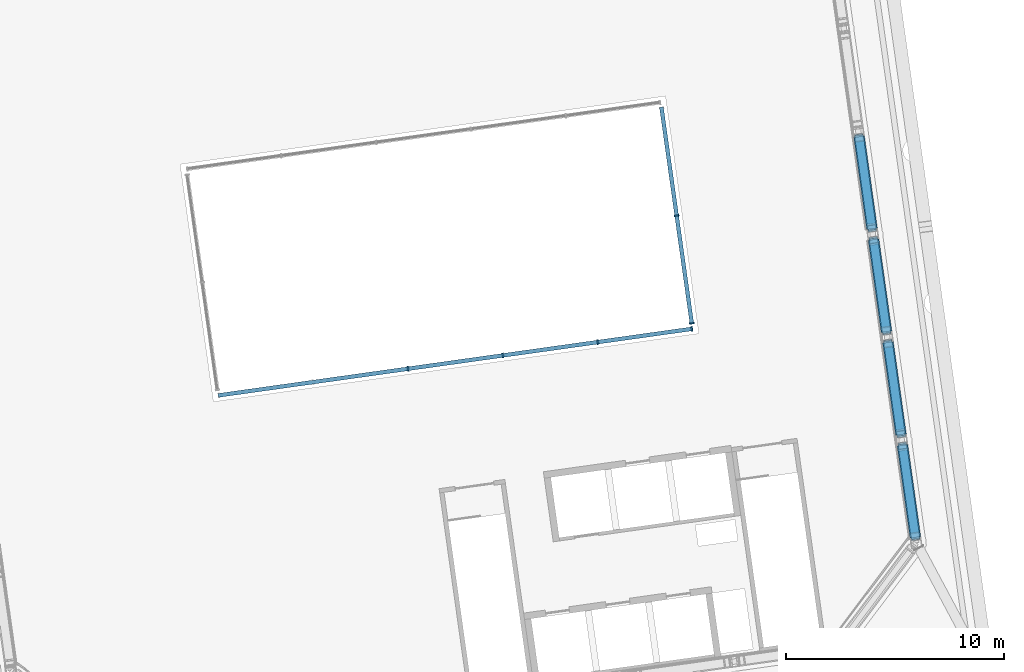
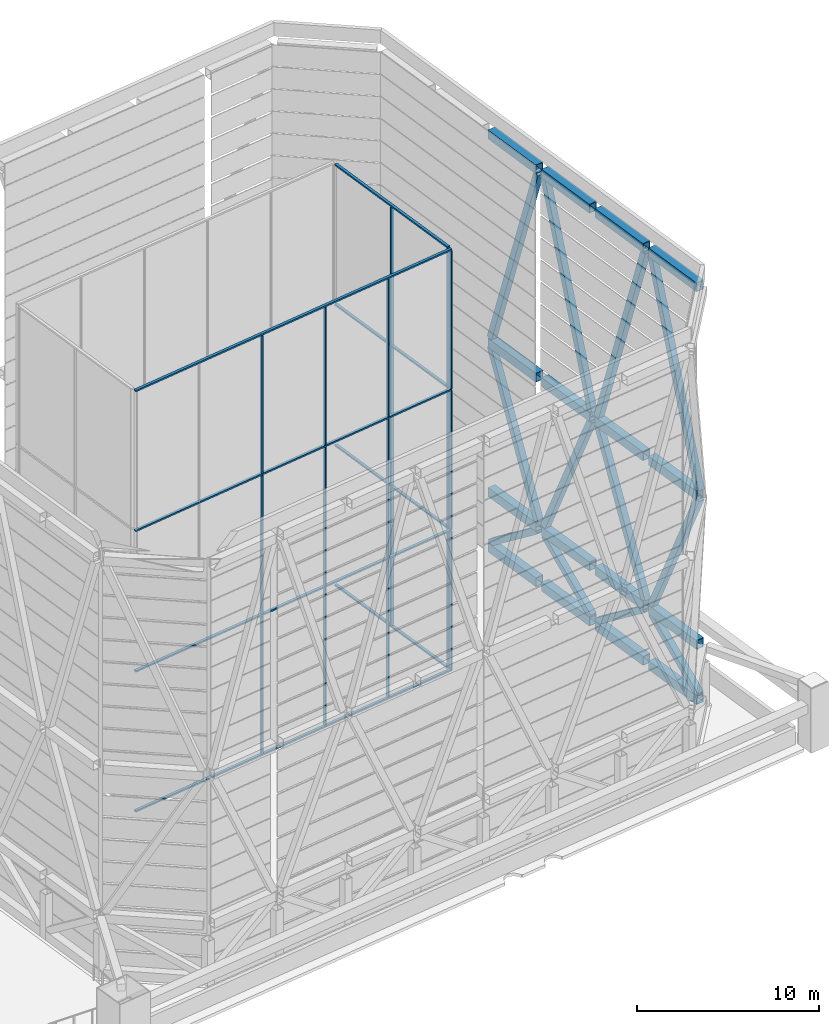
# One storey, part 13 of 45: 38 members, 16 beams, 2 elements without a shape of their own.
"""IFC4 building model written with IfcOpenShell, lengths in metres."""

from ifc_helpers import new_model, si_unit, direction, frame, origin, origin_2d, place, context, subcontext, project, spatial, rectangle, hollow_rectangle, extrude, material, material_profile, profile_set, type_object, element, aggregate, save


model = new_model("IFC4")

# Units and contexts
model_context = context("Model", 3, precision=1e-05, world=origin(), true_north=direction((0.0, 1.0)))
body_context = subcontext(model_context, "Body", "Model", "MODEL_VIEW")
ifc_project = project(units=[si_unit("LENGTHUNIT", "METRE"), si_unit("AREAUNIT", "SQUARE_METRE"), si_unit("VOLUMEUNIT", "CUBIC_METRE"), si_unit("PLANEANGLEUNIT", "RADIAN"), si_unit("MASSUNIT", "GRAM", prefix="KILO")], contexts=[model_context])

# Site, building, storey
site_placement = place(None, origin())
site = spatial("IfcSite", under=ifc_project, at=site_placement, CompositionType="ELEMENT")
building_placement = place(site_placement, origin())
building = spatial("IfcBuilding", under=site, at=building_placement, Name="Mirante Cascada Hotel Towers", CompositionType="ELEMENT")
storey_placement = place(building_placement, frame((0.0, 0.0, 269.8)))
storey = spatial("IfcBuildingStorey", under=building, at=storey_placement, Name="Roof garden", CompositionType="ELEMENT", Elevation=269.8)

# Beams
ifc_material_1 = material(Name="Steel ASTM A572 Gr 50", Category="steel")
ifc_material_profile_1 = material_profile(ifc_material_1, hollow_rectangle(XDim=0.5, YDim=0.6, WallThickness=0.03, at=origin_2d()), Name="Box beam 600x500x30 ASTM A572 Gr 50")
ifc_profile_set_1 = profile_set([ifc_material_profile_1], Name="Steel ASTM A572 Gr 50")
beam_type = type_object("IfcBeamType", Name="Box beam 600x500x30 ASTM A572 Gr 50", PredefinedType="BEAM", material=ifc_profile_set_1)
beam_1_placement = place(storey_placement, frame((55.6624, 6.1722, 0.3), z_axis=(0.1391659, -0.9902691, 0.0), x_axis=(0.9902691, 0.1391659, 0.0)))
element("IfcBeam", 1, at=beam_1_placement, inside=storey, type_object=beam_type, Name="CROWN FRAME ring beam T2 19", PredefinedType="BEAM", context=body_context, shape_type="SweptSolid", body=[
    extrude(hollow_rectangle(XDim=0.5, YDim=0.6, WallThickness=0.03, at=origin_2d()), origin(), (0.0, 0.0, 1.0), 4.2712),
])
beam_2_placement = place(storey_placement, frame((56.3264, 1.4475, 0.3), z_axis=(0.1391626, -0.9902695, 0.0), x_axis=(0.9902695, 0.1391626, 0.0)))
element("IfcBeam", 2, at=beam_2_placement, inside=storey, type_object=beam_type, Name="CROWN FRAME ring beam T2 20", PredefinedType="BEAM", context=body_context, shape_type="SweptSolid", body=[
    extrude(hollow_rectangle(XDim=0.5, YDim=0.6, WallThickness=0.03, at=origin_2d()), origin(), (0.0, 0.0, 1.0), 4.2713),
])
for number, where, z_axis, x_axis, name in (
    (3, (56.9904, -3.2773, 0.3), (0.1391888, -0.9902659, 0.0), (0.9902659, 0.1391888, 0.0), "CROWN FRAME ring beam T2 21"),
    (4, (57.6545, -8.0021, 0.3), (0.1391659, -0.9902691, 0.0), (0.9902691, 0.1391659, 0.0), "CROWN FRAME ring beam T2 22"),
    (5, (55.6624, 6.1722, 4.0), (0.1391659, -0.9902691, 0.0), (0.9902691, 0.1391659, 0.0), "CROWN FRAME ring beam T2 49"),
):
    element("IfcBeam", number, at=place(storey_placement, frame(where, z_axis=z_axis, x_axis=x_axis)), inside=storey, type_object=beam_type, Name=name, PredefinedType="BEAM", context=body_context, shape_type="SweptSolid", body=[
        extrude(hollow_rectangle(XDim=0.5, YDim=0.6, WallThickness=0.03, at=origin_2d()), origin(), (0.0, 0.0, 1.0), 4.2712),
    ])
beam_3_placement = place(storey_placement, frame((56.3264, 1.4475, 4.0), z_axis=(0.1391626, -0.9902695, 0.0), x_axis=(0.9902695, 0.1391626, 0.0)))
element("IfcBeam", 6, at=beam_3_placement, inside=storey, type_object=beam_type, Name="CROWN FRAME ring beam T2 50", PredefinedType="BEAM", context=body_context, shape_type="SweptSolid", body=[
    extrude(hollow_rectangle(XDim=0.5, YDim=0.6, WallThickness=0.03, at=origin_2d()), origin(), (0.0, 0.0, 1.0), 4.2713),
])
for number, where, z_axis, x_axis, name in (
    (7, (56.9904, -3.2773, 4.0), (0.1391888, -0.9902659, 0.0), (0.9902659, 0.1391888, 0.0), "CROWN FRAME ring beam T2 51"),
    (8, (57.6545, -8.0021, 4.0), (0.1391659, -0.9902691, 0.0), (0.9902691, 0.1391659, 0.0), "CROWN FRAME ring beam T2 52"),
    (9, (55.6624, 6.1722, 14.0), (0.1391659, -0.9902691, 0.0), (0.9902691, 0.1391659, 0.0), "CROWN FRAME ring beam T2 79"),
):
    element("IfcBeam", number, at=place(storey_placement, frame(where, z_axis=z_axis, x_axis=x_axis)), inside=storey, type_object=beam_type, Name=name, PredefinedType="BEAM", context=body_context, shape_type="SweptSolid", body=[
        extrude(hollow_rectangle(XDim=0.5, YDim=0.6, WallThickness=0.03, at=origin_2d()), origin(), (0.0, 0.0, 1.0), 4.2712),
    ])
beam_4_placement = place(storey_placement, frame((56.3264, 1.4475, 14.0), z_axis=(0.1391626, -0.9902695, 0.0), x_axis=(0.9902695, 0.1391626, 0.0)))
element("IfcBeam", 10, at=beam_4_placement, inside=storey, type_object=beam_type, Name="CROWN FRAME ring beam T2 80", PredefinedType="BEAM", context=body_context, shape_type="SweptSolid", body=[
    extrude(hollow_rectangle(XDim=0.5, YDim=0.6, WallThickness=0.03, at=origin_2d()), origin(), (0.0, 0.0, 1.0), 4.2713),
])
for number, where, z_axis, x_axis, name in (
    (11, (56.9904, -3.2773, 14.0), (0.1391888, -0.9902659, 0.0), (0.9902659, 0.1391888, 0.0), "CROWN FRAME ring beam T2 81"),
    (12, (57.6545, -8.0021, 14.0), (0.1391659, -0.9902691, 0.0), (0.9902691, 0.1391659, 0.0), "CROWN FRAME ring beam T2 82"),
    (13, (55.6624, 6.1722, 27.95), (0.1391659, -0.9902691, 0.0), (0.9902691, 0.1391659, 0.0), "CROWN FRAME ring beam T2 109"),
):
    element("IfcBeam", number, at=place(storey_placement, frame(where, z_axis=z_axis, x_axis=x_axis)), inside=storey, type_object=beam_type, Name=name, PredefinedType="BEAM", context=body_context, shape_type="SweptSolid", body=[
        extrude(hollow_rectangle(XDim=0.5, YDim=0.6, WallThickness=0.03, at=origin_2d()), origin(), (0.0, 0.0, 1.0), 4.2712),
    ])
beam_5_placement = place(storey_placement, frame((56.3264, 1.4475, 27.95), z_axis=(0.1391626, -0.9902695, 0.0), x_axis=(0.9902695, 0.1391626, 0.0)))
element("IfcBeam", 14, at=beam_5_placement, inside=storey, type_object=beam_type, Name="CROWN FRAME ring beam T2 110", PredefinedType="BEAM", context=body_context, shape_type="SweptSolid", body=[
    extrude(hollow_rectangle(XDim=0.5, YDim=0.6, WallThickness=0.03, at=origin_2d()), origin(), (0.0, 0.0, 1.0), 4.2713),
])
for number, where, z_axis, x_axis, name in (
    (15, (56.9904, -3.2773, 27.95), (0.1391888, -0.9902659, 0.0), (0.9902659, 0.1391888, 0.0), "CROWN FRAME ring beam T2 111"),
    (16, (57.6545, -8.0021, 27.95), (0.1391659, -0.9902691, 0.0), (0.9902691, 0.1391659, 0.0), "CROWN FRAME ring beam T2 112"),
):
    element("IfcBeam", number, at=place(storey_placement, frame(where, z_axis=z_axis, x_axis=x_axis)), inside=storey, type_object=beam_type, Name=name, PredefinedType="BEAM", context=body_context, shape_type="SweptSolid", body=[
        extrude(hollow_rectangle(XDim=0.5, YDim=0.6, WallThickness=0.03, at=origin_2d()), origin(), (0.0, 0.0, 1.0), 4.2712),
    ])

# Members
ifc_material_2 = material(Name="Steel ASTM A572 Gr 50", Category="steel")
ifc_material_profile_2 = material_profile(ifc_material_2, hollow_rectangle(XDim=0.4, YDim=0.4, WallThickness=0.025, at=origin_2d()), Name="Box brace 400x400x25 ASTM A572 Gr 50")
ifc_profile_set_2 = profile_set([ifc_material_profile_2], Name="Steel ASTM A572 Gr 50")
member_type_1 = type_object("IfcMemberType", Name="Box brace 400x400x25 ASTM A572 Gr 50", PredefinedType="BRACE", material=ifc_profile_set_2)
for number, where, z_axis, x_axis, name in (
    (17, (55.6693, 6.1227, 0.6), (0.111718, -0.7948026, 0.5964964), (0.9902654, 0.1391924, 0.0), "Hat truss diagonal T2 19"),
    (18, (56.9139, -2.7326, 0.6), (-0.111699, 0.7948043, 0.5964977), (-0.9902687, -0.1391689, 0.0), "Hat truss diagonal T2 20"),
    (19, (56.9974, -3.3268, 0.6), (0.111699, -0.7948043, 0.5964977), (0.9902687, 0.1391689, 0.0), "Hat truss diagonal T2 21"),
    (20, (58.2419, -12.1822, 0.6), (-0.111699, 0.7948043, 0.5964977), (-0.9902687, -0.1391689, 0.0), "Hat truss diagonal T2 22"),
):
    element("IfcMember", number, at=place(storey_placement, frame(where, z_axis=z_axis, x_axis=x_axis)), inside=storey, type_object=member_type_1, Name=name, PredefinedType="BRACE", context=body_context, shape_type="SweptSolid", body=[
        extrude(hollow_rectangle(XDim=0.4, YDim=0.4, WallThickness=0.025, at=origin_2d()), origin(), (0.0, 0.0, 1.0), 5.197),
    ])
for number, where, z_axis, x_axis, name in (
    (21, (56.2499, 1.9921, 4.3), (-0.0564571, 0.4016563, 0.9140486), (-0.9902654, -0.1391924, 0.0), "CROWN FRAME brace T2 49"),
    (22, (56.3334, 1.398, 4.3), (0.0564474, -0.4016565, 0.9140491), (0.9902687, 0.1391689, 0.0), "CROWN FRAME brace T2 50"),
    (23, (57.5779, -7.4574, 4.3), (-0.0564474, 0.4016565, 0.9140491), (-0.9902687, -0.1391689, 0.0), "CROWN FRAME brace T2 51"),
    (24, (57.6614, -8.0516, 4.3), (0.0564474, -0.4016565, 0.9140491), (0.9902687, 0.1391689, 0.0), "CROWN FRAME brace T2 52"),
):
    element("IfcMember", number, at=place(storey_placement, frame(where, z_axis=z_axis, x_axis=x_axis)), inside=storey, type_object=member_type_1, Name=name, PredefinedType="BRACE", context=body_context, shape_type="SweptSolid", body=[
        extrude(hollow_rectangle(XDim=0.4, YDim=0.4, WallThickness=0.025, at=origin_2d()), origin(), (0.0, 0.0, 1.0), 10.2839),
    ])
for number, where, z_axis, x_axis, name in (
    (25, (55.6693, 6.1227, 14.3), (0.0415115, -0.2953282, 0.9544936), (0.9902654, 0.1391924, 0.0), "CROWN FRAME brace T2 79"),
    (26, (56.9139, -2.7326, 14.3), (-0.0415044, 0.2953283, 0.9544939), (-0.9902687, -0.1391689, 0.0), "CROWN FRAME brace T2 80"),
    (27, (56.9974, -3.3268, 14.3), (0.0415044, -0.2953283, 0.9544939), (0.9902687, 0.1391689, 0.0), "CROWN FRAME brace T2 81"),
    (28, (58.2419, -12.1822, 14.3), (-0.0415044, 0.2953283, 0.9544939), (-0.9902687, -0.1391689, 0.0), "CROWN FRAME brace T2 82"),
):
    element("IfcMember", number, at=place(storey_placement, frame(where, z_axis=z_axis, x_axis=x_axis)), inside=storey, type_object=member_type_1, Name=name, PredefinedType="BRACE", context=body_context, shape_type="SweptSolid", body=[
        extrude(hollow_rectangle(XDim=0.4, YDim=0.4, WallThickness=0.025, at=origin_2d()), origin(), (0.0, 0.0, 1.0), 13.9865),
    ])

# Curtain wall, members
ifc_material_3 = material(Name="Aluminium mullion and transom frame with clear laminated glass", Category="aluminium")
curtain_wall_type = type_object("IfcCurtainWallType", Name="Atrium rooflight wall ECW6", PredefinedType="NOTDEFINED", material=ifc_material_3)
curtain_wall_1_placement = place(storey_placement, origin())
curtain_wall_1 = element("IfcCurtainWall", 29, at=curtain_wall_1_placement, inside=storey, type_object=curtain_wall_type, Name="Atrium rooflight wall T2 long rear", PredefinedType="NOTDEFINED")
ifc_material_4 = material(Name="Anodised aluminium extrusion", Category="aluminium")
ifc_material_profile_3 = material_profile(ifc_material_4, rectangle(XDim=0.22, YDim=0.07, at=origin_2d()), Name="ECW6 MULLION 70x220")
ifc_profile_set_3 = profile_set([ifc_material_profile_3], Name="Anodised aluminium extrusion")
member_type_2 = type_object("IfcMemberType", Name="ECW6 mullion 70x220", PredefinedType="MULLION", material=ifc_profile_set_3)
member_1_placement = place(storey_placement, frame((34.9441, -4.4861, 0.1), z_axis=(0.0, 0.0, 1.0), x_axis=(-0.1391731, 0.9902681, 0.0)))
member_1 = element("IfcMember", 30, at=member_1_placement, type_object=member_type_2, Name="ECW6 mullion 3", PredefinedType="MULLION", context=body_context, shape_type="SweptSolid", body=[
    extrude(rectangle(XDim=0.22, YDim=0.07, at=origin_2d()), origin(), (0.0, 0.0, 1.0), 9.2667),
])
member_2_placement = place(storey_placement, frame((34.9441, -4.4861, 9.4667), z_axis=(0.0, 0.0, 1.0), x_axis=(-0.1391731, 0.9902681, 0.0)))
member_2 = element("IfcMember", 31, at=member_2_placement, type_object=member_type_2, Name="ECW6 mullion 3", PredefinedType="MULLION", context=body_context, shape_type="SweptSolid", body=[
    extrude(rectangle(XDim=0.22, YDim=0.07, at=origin_2d()), origin(), (0.0, 0.0, 1.0), 9.3166),
])
member_3_placement = place(storey_placement, frame((34.9441, -4.4861, 18.8833), z_axis=(0.0, 0.0, 1.0), x_axis=(-0.1391731, 0.9902681, 0.0)))
member_3 = element("IfcMember", 32, at=member_3_placement, type_object=member_type_2, Name="ECW6 mullion 3", PredefinedType="MULLION", context=body_context, shape_type="SweptSolid", body=[
    extrude(rectangle(XDim=0.22, YDim=0.07, at=origin_2d()), origin(), (0.0, 0.0, 1.0), 9.2667),
])
member_4_placement = place(storey_placement, frame((39.3013, -3.8737, 0.1), z_axis=(0.0, 0.0, 1.0), x_axis=(-0.1391731, 0.9902681, 0.0)))
member_4 = element("IfcMember", 33, at=member_4_placement, type_object=member_type_2, Name="ECW6 mullion 4", PredefinedType="MULLION", context=body_context, shape_type="SweptSolid", body=[
    extrude(rectangle(XDim=0.22, YDim=0.07, at=origin_2d()), origin(), (0.0, 0.0, 1.0), 9.2667),
])
member_5_placement = place(storey_placement, frame((39.3013, -3.8737, 9.4667), z_axis=(0.0, 0.0, 1.0), x_axis=(-0.1391731, 0.9902681, 0.0)))
member_5 = element("IfcMember", 34, at=member_5_placement, type_object=member_type_2, Name="ECW6 mullion 4", PredefinedType="MULLION", context=body_context, shape_type="SweptSolid", body=[
    extrude(rectangle(XDim=0.22, YDim=0.07, at=origin_2d()), origin(), (0.0, 0.0, 1.0), 9.3166),
])
member_6_placement = place(storey_placement, frame((39.3013, -3.8737, 18.8833), z_axis=(0.0, 0.0, 1.0), x_axis=(-0.1391731, 0.9902681, 0.0)))
member_6 = element("IfcMember", 35, at=member_6_placement, type_object=member_type_2, Name="ECW6 mullion 4", PredefinedType="MULLION", context=body_context, shape_type="SweptSolid", body=[
    extrude(rectangle(XDim=0.22, YDim=0.07, at=origin_2d()), origin(), (0.0, 0.0, 1.0), 9.2667),
])
member_7_placement = place(storey_placement, frame((43.6585, -3.2614, 0.1), z_axis=(0.0, 0.0, 1.0), x_axis=(-0.1391731, 0.9902681, 0.0)))
member_7 = element("IfcMember", 36, at=member_7_placement, type_object=member_type_2, Name="ECW6 mullion 5", PredefinedType="MULLION", context=body_context, shape_type="SweptSolid", body=[
    extrude(rectangle(XDim=0.22, YDim=0.07, at=origin_2d()), origin(), (0.0, 0.0, 1.0), 9.2667),
])
member_8_placement = place(storey_placement, frame((43.6585, -3.2614, 9.4667), z_axis=(0.0, 0.0, 1.0), x_axis=(-0.1391731, 0.9902681, 0.0)))
member_8 = element("IfcMember", 37, at=member_8_placement, type_object=member_type_2, Name="ECW6 mullion 5", PredefinedType="MULLION", context=body_context, shape_type="SweptSolid", body=[
    extrude(rectangle(XDim=0.22, YDim=0.07, at=origin_2d()), origin(), (0.0, 0.0, 1.0), 9.3166),
])
member_9_placement = place(storey_placement, frame((43.6585, -3.2614, 18.8833), z_axis=(0.0, 0.0, 1.0), x_axis=(-0.1391731, 0.9902681, 0.0)))
member_9 = element("IfcMember", 38, at=member_9_placement, type_object=member_type_2, Name="ECW6 mullion 5", PredefinedType="MULLION", context=body_context, shape_type="SweptSolid", body=[
    extrude(rectangle(XDim=0.22, YDim=0.07, at=origin_2d()), origin(), (0.0, 0.0, 1.0), 9.2667),
])
member_10_placement = place(storey_placement, frame((47.981, -2.6539, 0.1), z_axis=(0.0, 0.0, 1.0), x_axis=(-0.1391731, 0.9902681, 0.0)))
member_10 = element("IfcMember", 39, at=member_10_placement, type_object=member_type_2, Name="ECW6 mullion 6", PredefinedType="MULLION", context=body_context, shape_type="SweptSolid", body=[
    extrude(rectangle(XDim=0.22, YDim=0.07, at=origin_2d()), origin(), (0.0, 0.0, 1.0), 9.2667),
])
member_11_placement = place(storey_placement, frame((47.981, -2.6539, 9.4667), z_axis=(0.0, 0.0, 1.0), x_axis=(-0.1391731, 0.9902681, 0.0)))
member_11 = element("IfcMember", 40, at=member_11_placement, type_object=member_type_2, Name="ECW6 mullion 6", PredefinedType="MULLION", context=body_context, shape_type="SweptSolid", body=[
    extrude(rectangle(XDim=0.22, YDim=0.07, at=origin_2d()), origin(), (0.0, 0.0, 1.0), 9.3166),
])
member_12_placement = place(storey_placement, frame((47.981, -2.6539, 18.8833), z_axis=(0.0, 0.0, 1.0), x_axis=(-0.1391731, 0.9902681, 0.0)))
member_12 = element("IfcMember", 41, at=member_12_placement, type_object=member_type_2, Name="ECW6 mullion 6", PredefinedType="MULLION", context=body_context, shape_type="SweptSolid", body=[
    extrude(rectangle(XDim=0.22, YDim=0.07, at=origin_2d()), origin(), (0.0, 0.0, 1.0), 9.2667),
])

curtain_wall_2_placement = place(storey_placement, origin())
curtain_wall_2 = element("IfcCurtainWall", 42, at=curtain_wall_2_placement, inside=storey, type_object=curtain_wall_type, Name="Atrium rooflight wall T2 outer", PredefinedType="NOTDEFINED")
member_13_placement = place(storey_placement, frame((47.9802, -2.3965, 0.1), z_axis=(0.0, 0.0, 1.0), x_axis=(-0.9902681, -0.1391731, 0.0)))
member_13 = element("IfcMember", 43, at=member_13_placement, type_object=member_type_2, Name="ECW6 mullion 1", PredefinedType="MULLION", context=body_context, shape_type="SweptSolid", body=[
    extrude(rectangle(XDim=0.22, YDim=0.07, at=origin_2d()), origin(), (0.0, 0.0, 1.0), 9.2667),
])
member_14_placement = place(storey_placement, frame((47.9802, -2.3965, 9.4667), z_axis=(0.0, 0.0, 1.0), x_axis=(-0.9902681, -0.1391731, 0.0)))
member_14 = element("IfcMember", 44, at=member_14_placement, type_object=member_type_2, Name="ECW6 mullion 1", PredefinedType="MULLION", context=body_context, shape_type="SweptSolid", body=[
    extrude(rectangle(XDim=0.22, YDim=0.07, at=origin_2d()), origin(), (0.0, 0.0, 1.0), 9.3166),
])
member_15_placement = place(storey_placement, frame((47.9802, -2.3965, 18.8833), z_axis=(0.0, 0.0, 1.0), x_axis=(-0.9902681, -0.1391731, 0.0)))
member_15 = element("IfcMember", 45, at=member_15_placement, type_object=member_type_2, Name="ECW6 mullion 1", PredefinedType="MULLION", context=body_context, shape_type="SweptSolid", body=[
    extrude(rectangle(XDim=0.22, YDim=0.07, at=origin_2d()), origin(), (0.0, 0.0, 1.0), 9.2667),
])
member_16_placement = place(storey_placement, frame((47.285, 2.5499, 0.1), z_axis=(0.0, 0.0, 1.0), x_axis=(-0.9902681, -0.1391731, 0.0)))
member_16 = element("IfcMember", 46, at=member_16_placement, type_object=member_type_2, Name="ECW6 mullion 2", PredefinedType="MULLION", context=body_context, shape_type="SweptSolid", body=[
    extrude(rectangle(XDim=0.22, YDim=0.07, at=origin_2d()), origin(), (0.0, 0.0, 1.0), 9.2667),
])
member_17_placement = place(storey_placement, frame((47.285, 2.5499, 9.4667), z_axis=(0.0, 0.0, 1.0), x_axis=(-0.9902681, -0.1391731, 0.0)))
member_17 = element("IfcMember", 47, at=member_17_placement, type_object=member_type_2, Name="ECW6 mullion 2", PredefinedType="MULLION", context=body_context, shape_type="SweptSolid", body=[
    extrude(rectangle(XDim=0.22, YDim=0.07, at=origin_2d()), origin(), (0.0, 0.0, 1.0), 9.3166),
])
member_18_placement = place(storey_placement, frame((47.285, 2.5499, 18.8833), z_axis=(0.0, 0.0, 1.0), x_axis=(-0.9902681, -0.1391731, 0.0)))
member_18 = element("IfcMember", 48, at=member_18_placement, type_object=member_type_2, Name="ECW6 mullion 2", PredefinedType="MULLION", context=body_context, shape_type="SweptSolid", body=[
    extrude(rectangle(XDim=0.22, YDim=0.07, at=origin_2d()), origin(), (0.0, 0.0, 1.0), 9.2667),
])

# Member
ifc_material_5 = material(Name="Anodised aluminium extrusion", Category="aluminium")
ifc_material_profile_4 = material_profile(ifc_material_5, rectangle(XDim=0.18, YDim=0.1, at=origin_2d()), Name="ECW6 TRANSOM 100x180")
ifc_profile_set_4 = profile_set([ifc_material_profile_4], Name="Anodised aluminium extrusion")
member_type_3 = type_object("IfcMemberType", Name="ECW6 transom 100x180", PredefinedType="USERDEFINED", material=ifc_profile_set_4)
member_19_placement = place(storey_placement, frame((26.2298, -5.7108, 0.05), z_axis=(0.9902681, 0.1391727, 0.0), x_axis=(-0.1391727, 0.9902681, 0.0)))
member_19 = element("IfcMember", 49, at=member_19_placement, type_object=member_type_3, Name="ECW6 sill transom", ObjectType="TRANSOM", PredefinedType="USERDEFINED", context=body_context, shape_type="SweptSolid", body=[
    extrude(rectangle(XDim=0.18, YDim=0.1, at=origin_2d()), origin(), (0.0, 0.0, 1.0), 22.0),
])

member_20_placement = place(storey_placement, frame((26.2298, -5.7108, 9.4167), z_axis=(0.9902681, 0.1391727, 0.0), x_axis=(-0.1391727, 0.9902681, 0.0)))
member_20 = element("IfcMember", 50, at=member_20_placement, type_object=member_type_3, Name="ECW6 intermediate transom", ObjectType="TRANSOM", PredefinedType="USERDEFINED", context=body_context, shape_type="SweptSolid", body=[
    extrude(rectangle(XDim=0.18, YDim=0.1, at=origin_2d()), origin(), (0.0, 0.0, 1.0), 22.0),
])

member_21_placement = place(storey_placement, frame((26.2298, -5.7108, 18.8333), z_axis=(0.9902681, 0.1391727, 0.0), x_axis=(-0.1391727, 0.9902681, 0.0)))
member_21 = element("IfcMember", 51, at=member_21_placement, type_object=member_type_3, Name="ECW6 intermediate transom", ObjectType="TRANSOM", PredefinedType="USERDEFINED", context=body_context, shape_type="SweptSolid", body=[
    extrude(rectangle(XDim=0.18, YDim=0.1, at=origin_2d()), origin(), (0.0, 0.0, 1.0), 22.0),
])

member_22_placement = place(storey_placement, frame((26.2298, -5.7108, 28.2), z_axis=(0.9902681, 0.1391727, 0.0), x_axis=(-0.1391727, 0.9902681, 0.0)))
member_22 = element("IfcMember", 52, at=member_22_placement, type_object=member_type_3, Name="ECW6 head transom", ObjectType="TRANSOM", PredefinedType="USERDEFINED", context=body_context, shape_type="SweptSolid", body=[
    extrude(rectangle(XDim=0.18, YDim=0.1, at=origin_2d()), origin(), (0.0, 0.0, 1.0), 22.0),
])

aggregate(curtain_wall_1, [member_19, member_20, member_21, member_22, member_1, member_2, member_3, member_4, member_5, member_6, member_7, member_8, member_9, member_10, member_11, member_12])

member_23_placement = place(storey_placement, frame((47.985, -2.4312, 0.05), z_axis=(-0.1391651, 0.9902692, 0.0), x_axis=(-0.9902692, -0.1391651, 0.0)))
member_23 = element("IfcMember", 53, at=member_23_placement, type_object=member_type_3, Name="ECW6 sill transom", ObjectType="TRANSOM", PredefinedType="USERDEFINED", context=body_context, shape_type="SweptSolid", body=[
    extrude(rectangle(XDim=0.18, YDim=0.1, at=origin_2d()), origin(), (0.0, 0.0, 1.0), 10.06),
])

member_24_placement = place(storey_placement, frame((47.985, -2.4312, 9.4167), z_axis=(-0.1391651, 0.9902692, 0.0), x_axis=(-0.9902692, -0.1391651, 0.0)))
member_24 = element("IfcMember", 54, at=member_24_placement, type_object=member_type_3, Name="ECW6 intermediate transom", ObjectType="TRANSOM", PredefinedType="USERDEFINED", context=body_context, shape_type="SweptSolid", body=[
    extrude(rectangle(XDim=0.18, YDim=0.1, at=origin_2d()), origin(), (0.0, 0.0, 1.0), 10.06),
])

member_25_placement = place(storey_placement, frame((47.985, -2.4312, 18.8333), z_axis=(-0.1391651, 0.9902692, 0.0), x_axis=(-0.9902692, -0.1391651, 0.0)))
member_25 = element("IfcMember", 55, at=member_25_placement, type_object=member_type_3, Name="ECW6 intermediate transom", ObjectType="TRANSOM", PredefinedType="USERDEFINED", context=body_context, shape_type="SweptSolid", body=[
    extrude(rectangle(XDim=0.18, YDim=0.1, at=origin_2d()), origin(), (0.0, 0.0, 1.0), 10.06),
])

member_26_placement = place(storey_placement, frame((47.985, -2.4312, 28.2), z_axis=(-0.1391651, 0.9902692, 0.0), x_axis=(-0.9902692, -0.1391651, 0.0)))
member_26 = element("IfcMember", 56, at=member_26_placement, type_object=member_type_3, Name="ECW6 head transom", ObjectType="TRANSOM", PredefinedType="USERDEFINED", context=body_context, shape_type="SweptSolid", body=[
    extrude(rectangle(XDim=0.18, YDim=0.1, at=origin_2d()), origin(), (0.0, 0.0, 1.0), 10.06),
])

aggregate(curtain_wall_2, [member_23, member_24, member_25, member_26, member_13, member_14, member_15, member_16, member_17, member_18])

save(model, "model.ifc")
